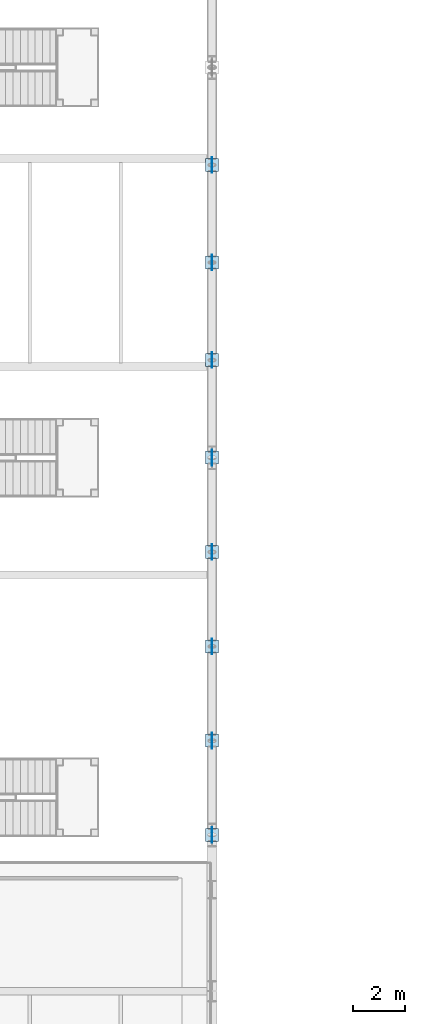
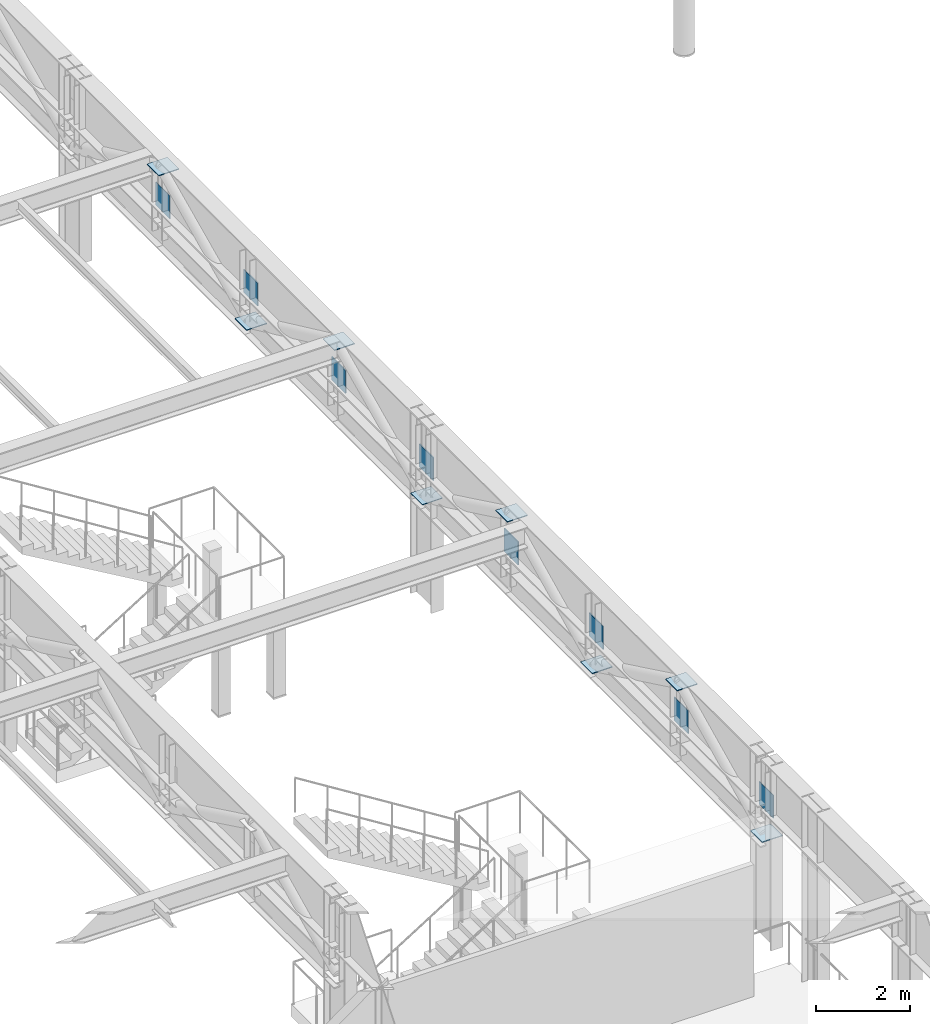
# One storey, part 80 of 143: 16 plates.
"""IFC4 building model written with IfcOpenShell, lengths in metres."""

from ifc_helpers import new_model, si_unit, direction, frame, origin, origin_2d, place, context, subcontext, project, spatial, rectangle, extrude, material, layer, layer_set, type_object, element, save


model = new_model("IFC4")

# Units and contexts
model_context = context("Model", 3, precision=1e-05, world=origin(), true_north=direction((0.0, 1.0)))
body_context = subcontext(model_context, "Body", "Model", "MODEL_VIEW")
ifc_project = project(units=[si_unit("LENGTHUNIT", "METRE"), si_unit("AREAUNIT", "SQUARE_METRE"), si_unit("VOLUMEUNIT", "CUBIC_METRE"), si_unit("PLANEANGLEUNIT", "RADIAN"), si_unit("MASSUNIT", "GRAM", prefix="KILO")], contexts=[model_context])

# Site, building, storey
site_placement = place(None, origin())
site = spatial("IfcSite", under=ifc_project, at=site_placement, CompositionType="ELEMENT")
building_placement = place(site_placement, origin())
building = spatial("IfcBuilding", under=site, at=building_placement, Name="Marlcrest Central Station", CompositionType="ELEMENT")
storey_placement = place(building_placement, frame((0.0, 0.0, 4.800048828125)))
storey = spatial("IfcBuildingStorey", under=building, at=storey_placement, Name="L01", CompositionType="ELEMENT", Elevation=4.800048828125)

# Plates
ifc_material = material(Name="Steel S355", Category="steel")
ifc_layer_1 = layer(ifc_material, 0.02392578125, Name="GP-01")
ifc_layer_set_1 = layer_set([ifc_layer_1], Name="Steel S355")
plate_type_1 = type_object("IfcPlateType", Name="GP-01", PredefinedType="USERDEFINED", material=ifc_layer_set_1)
for number, where, z_axis, x_axis, name in (
    (1, (129.0, 36.5, 3.31982421875), (0.0, 0.0, 1.0), (1.0, 0.0, 0.0), "plt-truss-01183"),
    (2, (129.0, 40.125, 3.31982421875), (0.0, 0.0, 1.0), (1.0, 0.0, 0.0), "plt-truss-01185"),
    (3, (129.0, 43.75, 3.31982421875), (0.0, 0.0, 1.0), (1.0, 0.0, 0.0), "plt-truss-01187"),
    (4, (129.0, 47.375, 3.31982421875), (0.0, 0.0, 1.0), (1.0, 0.0, 0.0), "plt-truss-01189"),
    (5, (129.0, 51.0, 3.31982421875), (0.0, 0.0, 1.0), (1.0, 0.0, 0.0), "plt-truss-01191"),
    (6, (129.0, 54.75, 3.31982421875), (0.0, 0.0, 1.0), (1.0, 0.0, 0.0), "plt-truss-01193"),
    (7, (129.0, 58.5, 3.31982421875), (0.0, 0.0, 1.0), (1.0, 0.0, 0.0), "plt-truss-01195"),
    (8, (129.0, 62.25, 3.31982421875), (0.0, 0.0, 1.0), (1.0, 0.0, 0.0), "plt-truss-01197"),
):
    element("IfcPlate", number, at=place(storey_placement, frame(where, z_axis=z_axis, x_axis=x_axis)), inside=storey, type_object=plate_type_1, Name=name, ObjectType="GUSSET_PLATE", PredefinedType="USERDEFINED", context=body_context, shape_type="SweptSolid", body=[
        extrude(rectangle(XDim=0.02392578125, YDim=0.60009765625, at=origin_2d()), origin(), (0.0, 0.0, 1.0), 0.60009765625),
    ])
ifc_layer_2 = layer(ifc_material, 0.02001953125, Name="GP-03")
ifc_layer_set_2 = layer_set([ifc_layer_2], Name="Steel S355")
plate_type_2 = type_object("IfcPlateType", Name="GP-03", PredefinedType="USERDEFINED", material=ifc_layer_set_2)
for number, where, z_axis, x_axis, name in (
    (9, (129.0, 36.5, 2.73486328125), (0.0, 0.0, 1.0), (1.0, 0.0, 0.0), "plt-cap-01181"),
    (10, (129.0, 40.125, 4.48486328125), (0.0, 0.0, 1.0), (1.0, 0.0, 0.0), "plt-cap-01182"),
    (11, (129.0, 43.75, 2.73486328125), (0.0, 0.0, 1.0), (1.0, 0.0, 0.0), "plt-cap-01184"),
    (12, (129.0, 47.375, 4.48486328125), (0.0, 0.0, 1.0), (1.0, 0.0, 0.0), "plt-cap-01186"),
    (13, (129.0, 51.0, 2.73486328125), (0.0, 0.0, 1.0), (1.0, 0.0, 0.0), "plt-cap-01188"),
    (14, (129.0, 54.75, 4.48486328125), (0.0, 0.0, 1.0), (1.0, 0.0, 0.0), "plt-cap-01190"),
    (15, (129.0, 58.5, 2.73486328125), (0.0, 0.0, 1.0), (1.0, 0.0, 0.0), "plt-cap-01192"),
    (16, (129.0, 62.25, 4.48486328125), (0.0, 0.0, 1.0), (1.0, 0.0, 0.0), "plt-cap-01194"),
):
    element("IfcPlate", number, at=place(storey_placement, frame(where, z_axis=z_axis, x_axis=x_axis)), inside=storey, type_object=plate_type_2, Name=name, ObjectType="GUSSET_PLATE", PredefinedType="USERDEFINED", context=body_context, shape_type="SweptSolid", body=[
        extrude(rectangle(XDim=0.5, YDim=0.5, at=origin_2d()), origin(), (0.0, 0.0, 1.0), 0.02001953125),
    ])

save(model, "model.ifc")
